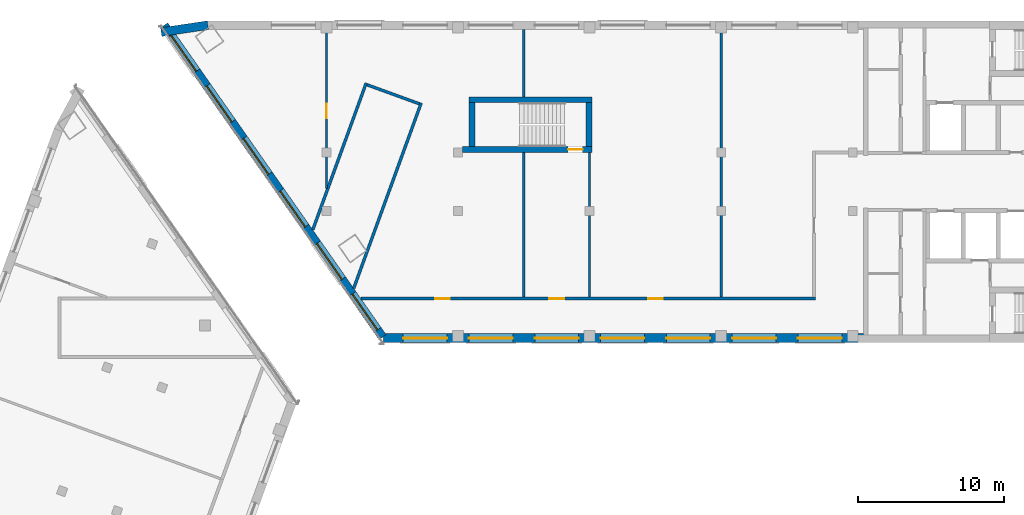
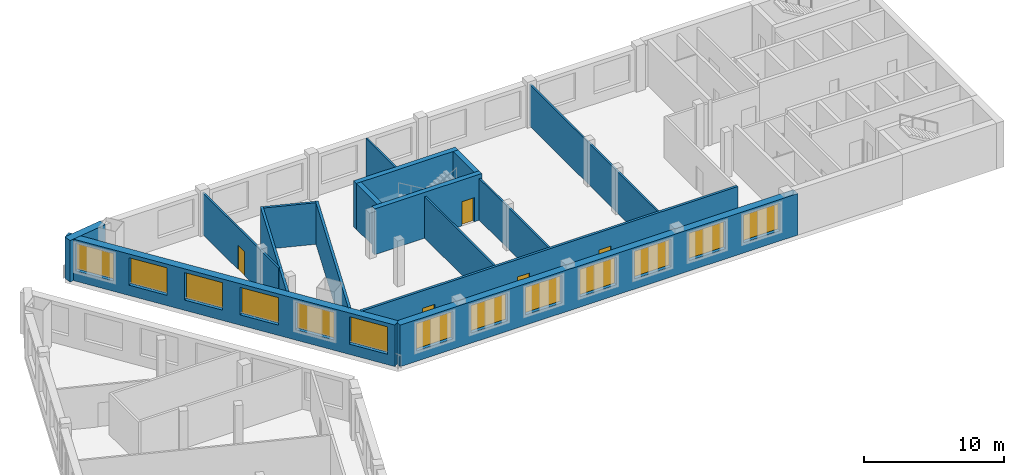
# One storey, part 4 of 8: 16 walls, 13 windows, 5 doors, 18 openings.
"""IFC4 building model written with IfcOpenShell, lengths in metres."""

from ifc_helpers import new_model, si_unit, direction, frame, frame_2d, origin, place, context, subcontext, project, spatial, rectangle, extrude, material, layer, layer_set, type_object, element, fill, save


model = new_model("IFC4")

# Units and contexts
model_context = context("Model", 3, precision=1e-05, world=origin(), true_north=direction((0.0, 1.0)))
body_context = subcontext(model_context, "Body", "Model", "MODEL_VIEW")
ifc_project = project(units=[si_unit("LENGTHUNIT", "METRE"), si_unit("AREAUNIT", "SQUARE_METRE"), si_unit("VOLUMEUNIT", "CUBIC_METRE"), si_unit("PLANEANGLEUNIT", "RADIAN"), si_unit("MASSUNIT", "GRAM", prefix="KILO")], contexts=[model_context])

# Site, building, storey
site_placement = place(None, origin())
site = spatial("IfcSite", under=ifc_project, at=site_placement, CompositionType="ELEMENT")
building_placement = place(site_placement, origin())
building = spatial("IfcBuilding", under=site, at=building_placement, Name="Skarvind Civic Tower", CompositionType="ELEMENT")
storey_placement = place(building_placement, frame((0.0, 0.0, 216.0)))
storey = spatial("IfcBuildingStorey", under=building, at=storey_placement, Name="L51", CompositionType="ELEMENT", Elevation=216.0)

# Wall, opening, door
ifc_material_1 = material(Name="Concrete C60", Category="concrete")
ifc_layer_1 = layer(ifc_material_1, 0.39990234375)
ifc_layer_set_1 = layer_set([ifc_layer_1], Name="Core wall 400 C60")
wall_type_1 = type_object("IfcWallType", Name="Core wall 400 C60", PredefinedType="SHEAR", material=ifc_layer_set_1)
wall_1_placement = place(storey_placement, frame((63.550048828125, 130.199951171875, 0.0), z_axis=(0.0, 0.0, 1.0), x_axis=(1.0, 0.0, 0.0)))
wall_1 = element("IfcWall", 1, at=wall_1_placement, inside=storey, type_object=wall_type_1, Name="Core wall CM inner L51", PredefinedType="SHEAR", context=body_context, shape_type="SweptSolid", body=[
    extrude(rectangle(XDim=8.849853515625, YDim=0.39990234375, at=frame_2d((4.4248046875, 0.0))), origin(), (0.0, 0.0, 1.0), 4.0),
])
opening_1_placement = place(wall_1_placement, frame((7.22509765625, 0.0, 0.0)))
opening_1 = element("IfcOpeningElement", 2, at=opening_1_placement, cuts=wall_1, Name="Opening D-L51-CM-01", PredefinedType="OPENING", context=body_context, shape_type="SweptSolid", body=[
    extrude(rectangle(XDim=1.0, YDim=2.10009765625, at=frame_2d((0.5, 1.050048828125))), frame((0.0, 0.2099609375, 0.0), z_axis=(0.0, -1.0, 0.0), x_axis=(1.0, 0.0, 0.0)), (0.0, 0.0, 1.0), 0.419921875),
])
ifc_material_2 = material(Name="Fire-rated steel door", Category="steel")
door_type_1 = type_object("IfcDoorType", Name="Fire door 1000", OperationType="NOTDEFINED", PredefinedType="DOOR", material=ifc_material_2)
door_1_placement = place(opening_1_placement, origin())
door_1 = element("IfcDoor", 3, at=door_1_placement, inside=storey, type_object=door_type_1, Name="Fire door", OperationType="SINGLE_SWING_LEFT", OverallHeight=2.10009765625, OverallWidth=1.0, PredefinedType="DOOR", context=body_context, shape_type="SweptSolid", body=[
    extrude(rectangle(XDim=1.0, YDim=2.10009765625, at=frame_2d((0.5, 1.050048828125))), frame((0.0, 0.02490234375, 0.0), z_axis=(0.0, -1.0, 0.0), x_axis=(1.0, 0.0, 0.0)), (0.0, 0.0, 1.0), 0.050048828125),
])
fill(opening_1, door_1)

# Walls
wall_2_placement = place(storey_placement, frame((64.0, 133.60009765625, 0.0), z_axis=(0.0, 0.0, 1.0), x_axis=(1.0, 0.0, 0.0)))
element("IfcWall", 4, at=wall_2_placement, inside=storey, type_object=wall_type_1, Name="Core wall CM outer L51", PredefinedType="SHEAR", context=body_context, shape_type="SweptSolid", body=[
    extrude(rectangle(XDim=8.39990234375, YDim=0.39990234375, at=frame_2d((4.199951171875, 0.0))), origin(), (0.0, 0.0, 1.0), 4.0),
])
for number, where, z_axis, x_axis, name in (
    (5, (64.199951171875, 130.39990234375, 0.0), (0.0, 0.0, 1.0), (0.0, 1.0, 0.0), "Core wall CM west L51"),
    (6, (72.199951171875, 130.39990234375, 0.0), (0.0, 0.0, 1.0), (0.0, 1.0, 0.0), "Core wall CM end L51"),
):
    element("IfcWall", number, at=place(storey_placement, frame(where, z_axis=z_axis, x_axis=x_axis)), inside=storey, type_object=wall_type_1, Name=name, PredefinedType="SHEAR", context=body_context, shape_type="SweptSolid", body=[
        extrude(rectangle(XDim=3.0, YDim=0.39990234375, at=frame_2d((1.5, 0.0))), origin(), (0.0, 0.0, 1.0), 4.0),
    ])
ifc_material_3 = material(Name="Fire-rated blockwork wall, plastered", Category="masonry")
ifc_layer_2 = layer(ifc_material_3, 0.199951171875)
ifc_layer_set_2 = layer_set([ifc_layer_2], Name="FIRE WALL 200 EI 60")
wall_type_2 = type_object("IfcWallType", Name="FIRE WALL 200 EI 60", PredefinedType="PARTITIONING", material=ifc_layer_set_2)
wall_3_placement = place(storey_placement, frame((53.31396484375, 124.702880859375, 0.0), z_axis=(0.0, 0.0, 1.0), x_axis=(0.341964791562, 0.939712765334, 0.0)))
element("IfcWall", 7, at=wall_3_placement, inside=storey, type_object=wall_type_2, Name="Portal partition L51 010", PredefinedType="PARTITIONING", context=body_context, shape_type="SweptSolid", body=[
    extrude(rectangle(XDim=10.69677734375, YDim=0.199951171875, at=frame_2d((5.348388671875, 0.0))), origin(), (0.0, 0.0, 1.0), 3.625),
])
wall_4_placement = place(storey_placement, frame((56.114013671875, 120.7041015625, 0.0), z_axis=(0.0, 0.0, 1.0), x_axis=(0.342069822002, 0.939674537739, 0.0)))
element("IfcWall", 8, at=wall_4_placement, inside=storey, type_object=wall_type_2, Name="Portal partition L51 012", PredefinedType="PARTITIONING", context=body_context, shape_type="SweptSolid", body=[
    extrude(rectangle(XDim=13.4970703125, YDim=0.199951171875, at=frame_2d((6.74853515625, 0.0))), origin(), (0.0, 0.0, 1.0), 3.625),
])

# Wall, openings, doors
wall_5_placement = place(storey_placement, frame((56.60693359375, 120.0, 0.0), z_axis=(0.0, 0.0, 1.0), x_axis=(1.0, 0.0, 0.0)))
wall_5 = element("IfcWall", 9, at=wall_5_placement, inside=storey, type_object=wall_type_2, Name="Portal partition L51 013", PredefinedType="PARTITIONING", context=body_context, shape_type="SweptSolid", body=[
    extrude(rectangle(XDim=31.093017578125, YDim=0.199951171875, at=frame_2d((15.54638671875, 0.0))), origin(), (0.0, 0.0, 1.0), 3.625),
])
opening_2_placement = place(wall_5_placement, frame((5.073974609375, 0.0, 0.0)))
opening_2 = element("IfcOpeningElement", 10, at=opening_2_placement, cuts=wall_5, Name="Opening L51-D205", PredefinedType="OPENING", context=body_context, shape_type="SweptSolid", body=[
    extrude(rectangle(XDim=1.0, YDim=2.10009765625, at=frame_2d((0.5, 1.050048828125))), frame((0.0, 0.10986328125, 0.0), z_axis=(0.0, -1.0, 0.0), x_axis=(1.0, 0.0, 0.0)), (0.0, 0.0, 1.0), 0.219970703125),
])
opening_3_placement = place(wall_5_placement, frame((12.89306640625, 0.0, 0.0)))
opening_3 = element("IfcOpeningElement", 11, at=opening_3_placement, cuts=wall_5, Name="Opening L51-D206", PredefinedType="OPENING", context=body_context, shape_type="SweptSolid", body=[
    extrude(rectangle(XDim=1.0, YDim=2.10009765625, at=frame_2d((0.5, 1.050048828125))), frame((0.0, 0.10986328125, 0.0), z_axis=(0.0, -1.0, 0.0), x_axis=(1.0, 0.0, 0.0)), (0.0, 0.0, 1.0), 0.219970703125),
])
opening_4_placement = place(wall_5_placement, frame((19.64306640625, 0.0, 0.0)))
opening_4 = element("IfcOpeningElement", 12, at=opening_4_placement, cuts=wall_5, Name="Opening L51-D207", PredefinedType="OPENING", context=body_context, shape_type="SweptSolid", body=[
    extrude(rectangle(XDim=1.0, YDim=2.10009765625, at=frame_2d((0.5, 1.050048828125))), frame((0.0, 0.10986328125, 0.0), z_axis=(0.0, -1.0, 0.0), x_axis=(1.0, 0.0, 0.0)), (0.0, 0.0, 1.0), 0.219970703125),
])
ifc_material_4 = material(Name="Painted steel fire door leaf", Category="steel")
door_type_2 = type_object("IfcDoorType", Name="FIRE DOOR 1000X2100 STEEL", OperationType="NOTDEFINED", PredefinedType="DOOR", material=ifc_material_4)
door_2_placement = place(opening_2_placement, origin())
door_2 = element("IfcDoor", 13, at=door_2_placement, inside=storey, type_object=door_type_2, Name="FIRE DOOR", OperationType="SINGLE_SWING_RIGHT", OverallHeight=2.10009765625, OverallWidth=1.0, PredefinedType="DOOR", context=body_context, shape_type="SweptSolid", body=[
    extrude(rectangle(XDim=1.0, YDim=2.10009765625, at=frame_2d((0.5, 1.050048828125))), frame((0.0, 0.02490234375, 0.0), z_axis=(0.0, -1.0, 0.0), x_axis=(1.0, 0.0, 0.0)), (0.0, 0.0, 1.0), 0.050048828125),
])
fill(opening_2, door_2)
door_3_placement = place(opening_3_placement, origin())
door_3 = element("IfcDoor", 14, at=door_3_placement, inside=storey, type_object=door_type_2, Name="FIRE DOOR", OperationType="SINGLE_SWING_LEFT", OverallHeight=2.10009765625, OverallWidth=1.0, PredefinedType="DOOR", context=body_context, shape_type="SweptSolid", body=[
    extrude(rectangle(XDim=1.0, YDim=2.10009765625, at=frame_2d((0.5, 1.050048828125))), frame((0.0, 0.02490234375, 0.0), z_axis=(0.0, -1.0, 0.0), x_axis=(1.0, 0.0, 0.0)), (0.0, 0.0, 1.0), 0.050048828125),
])
fill(opening_3, door_3)
door_4_placement = place(opening_4_placement, origin())
door_4 = element("IfcDoor", 15, at=door_4_placement, inside=storey, type_object=door_type_2, Name="FIRE DOOR", OperationType="SINGLE_SWING_RIGHT", OverallHeight=2.10009765625, OverallWidth=1.0, PredefinedType="DOOR", context=body_context, shape_type="SweptSolid", body=[
    extrude(rectangle(XDim=1.0, YDim=2.10009765625, at=frame_2d((0.5, 1.050048828125))), frame((0.0, 0.02490234375, 0.0), z_axis=(0.0, -1.0, 0.0), x_axis=(1.0, 0.0, 0.0)), (0.0, 0.0, 1.0), 0.050048828125),
])
fill(opening_4, door_4)

# Wall
wall_6_placement = place(storey_placement, frame((57.031982421875, 134.626953125, 0.0), z_axis=(0.0, 0.0, 1.0), x_axis=(0.939667689469, -0.342088633789, 0.0)))
element("IfcWall", 16, at=wall_6_placement, inside=storey, type_object=wall_type_2, Name="Portal partition L51 014", PredefinedType="PARTITIONING", context=body_context, shape_type="SweptSolid", body=[
    extrude(rectangle(XDim=3.80029296875, YDim=0.199951171875, at=frame_2d((1.900146484375, 0.0))), origin(), (0.0, 0.0, 1.0), 3.625),
])

# Wall, opening, door
ifc_material_5 = material(Name="Plasterboard partition on steel studs", Category="steel")
ifc_layer_3 = layer(ifc_material_5, 0.14990234375)
ifc_layer_set_3 = layer_set([ifc_layer_3], Name="PARTITION 150")
wall_type_3 = type_object("IfcWallType", Name="PARTITION 150", PredefinedType="PARTITIONING", material=ifc_layer_set_3)
wall_7_placement = place(storey_placement, frame((54.25, 138.39990234375, 0.0), z_axis=(0.0, 0.0, 1.0), x_axis=(0.0, -1.0, 0.0)))
wall_7 = element("IfcWall", 17, at=wall_7_placement, inside=storey, type_object=wall_type_3, Name="Portal partition L51 011", PredefinedType="PARTITIONING", context=body_context, shape_type="SweptSolid", body=[
    extrude(rectangle(XDim=10.85888671875, YDim=0.14990234375, at=frame_2d((5.429443359375, 0.0))), origin(), (0.0, 0.0, 1.0), 3.625),
])
opening_5_placement = place(wall_7_placement, frame((5.06298828125, 0.0, 0.0)))
opening_5 = element("IfcOpeningElement", 18, at=opening_5_placement, cuts=wall_7, Name="Opening L51-D204", PredefinedType="OPENING", context=body_context, shape_type="SweptSolid", body=[
    extrude(rectangle(XDim=1.0, YDim=2.10009765625, at=frame_2d((0.5, 1.050048828125))), frame((0.0, 0.0849609375, 0.0), z_axis=(0.0, -1.0, 0.0), x_axis=(1.0, 0.0, 0.0)), (0.0, 0.0, 1.0), 0.169921875),
])
ifc_material_6 = material(Name="Timber veneer door leaf", Category="wood")
door_type_3 = type_object("IfcDoorType", Name="DOOR 1000X2100 TIMBER", OperationType="NOTDEFINED", PredefinedType="DOOR", material=ifc_material_6)
door_5_placement = place(opening_5_placement, origin())
door_5 = element("IfcDoor", 19, at=door_5_placement, inside=storey, type_object=door_type_3, Name="DOOR DOOR", OperationType="SINGLE_SWING_LEFT", OverallHeight=2.10009765625, OverallWidth=1.0, PredefinedType="DOOR", context=body_context, shape_type="SweptSolid", body=[
    extrude(rectangle(XDim=1.0, YDim=2.10009765625, at=frame_2d((0.5, 1.050048828125))), frame((0.0, 0.02490234375, 0.0), z_axis=(0.0, -1.0, 0.0), x_axis=(1.0, 0.0, 0.0)), (0.0, 0.0, 1.0), 0.050048828125),
])
fill(opening_5, door_5)

# Walls
wall_8_placement = place(storey_placement, frame((67.75, 120.10009765625, 0.0), z_axis=(0.0, 0.0, 1.0), x_axis=(0.0, 1.0, 0.0)))
element("IfcWall", 20, at=wall_8_placement, inside=storey, type_object=wall_type_3, Name="Portal partition L51 015", PredefinedType="PARTITIONING", context=body_context, shape_type="SweptSolid", body=[
    extrude(rectangle(XDim=9.89990234375, YDim=0.14990234375, at=frame_2d((4.949951171875, 0.0))), origin(), (0.0, 0.0, 1.0), 3.625),
])
wall_9_placement = place(storey_placement, frame((67.75, 133.800048828125, 0.0), z_axis=(0.0, 0.0, 1.0), x_axis=(0.0, 1.0, 0.0)))
element("IfcWall", 21, at=wall_9_placement, inside=storey, type_object=wall_type_3, Name="Portal partition L51 016", PredefinedType="PARTITIONING", context=body_context, shape_type="SweptSolid", body=[
    extrude(rectangle(XDim=4.599853515625, YDim=0.14990234375, at=frame_2d((2.2998046875, 0.0))), origin(), (0.0, 0.0, 1.0), 3.625),
])
wall_10_placement = place(storey_placement, frame((72.25, 120.10009765625, 0.0), z_axis=(0.0, 0.0, 1.0), x_axis=(0.0, 1.0, 0.0)))
element("IfcWall", 22, at=wall_10_placement, inside=storey, type_object=wall_type_3, Name="Portal partition L51 017", PredefinedType="PARTITIONING", context=body_context, shape_type="SweptSolid", body=[
    extrude(rectangle(XDim=9.89990234375, YDim=0.14990234375, at=frame_2d((4.949951171875, 0.0))), origin(), (0.0, 0.0, 1.0), 3.625),
])
wall_11_placement = place(storey_placement, frame((81.25, 120.10009765625, 0.0), z_axis=(0.0, 0.0, 1.0), x_axis=(0.0, 1.0, 0.0)))
element("IfcWall", 23, at=wall_11_placement, inside=storey, type_object=wall_type_3, Name="Portal partition L51 018", PredefinedType="PARTITIONING", context=body_context, shape_type="SweptSolid", body=[
    extrude(rectangle(XDim=18.2998046875, YDim=0.14990234375, at=frame_2d((9.14990234375, 0.0))), origin(), (0.0, 0.0, 1.0), 3.625),
])
ifc_material_7 = material(Name="Limestone masonry cladding on insulated backing", Category="masonry")
ifc_layer_4 = layer(ifc_material_7, 0.60009765625)
ifc_layer_set_4 = layer_set([ifc_layer_4], Name="WX1 STONE FACADE WALL 600")
wall_type_4 = type_object("IfcWallType", Name="WX1 STONE FACADE WALL 600", PredefinedType="SOLIDWALL", material=ifc_layer_set_4)
wall_12_placement = place(storey_placement, frame((42.947021484375, 138.228515625, 0.0), z_axis=(0.0, 0.0, 1.0), x_axis=(0.989119234726, 0.147116074906, 0.0)))
element("IfcWall", 24, at=wall_12_placement, inside=storey, type_object=wall_type_4, Name="STONE FACADE WALL", PredefinedType="SOLIDWALL", context=body_context, shape_type="SweptSolid", body=[
    extrude(rectangle(XDim=3.227783203125, YDim=0.60009765625, at=frame_2d((1.61376953125, 0.0))), origin(), (0.0, 0.0, 1.0), 3.625),
])

# Wall, openings, windows
wall_13_placement = place(storey_placement, frame((58.0830078125, 117.36865234375, 0.0), z_axis=(0.0, 0.0, 1.0), x_axis=(-0.573573095716, 0.819154383416, 0.0)))
wall_13 = element("IfcWall", 25, at=wall_13_placement, inside=storey, type_object=wall_type_4, Name="STONE FACADE WALL", PredefinedType="SOLIDWALL", context=body_context, shape_type="SweptSolid", body=[
    extrude(rectangle(XDim=26.037353515625, YDim=0.60009765625, at=frame_2d((13.0185546875, 0.0))), origin(), (0.0, 0.0, 1.0), 3.625),
])
opening_6_placement = place(wall_13_placement, frame((0.599853515625, 0.0, 0.89990234375)))
opening_6 = element("IfcOpeningElement", 26, at=opening_6_placement, cuts=wall_13, Name="Opening WN1", PredefinedType="OPENING", context=body_context, shape_type="SweptSolid", body=[
    extrude(rectangle(XDim=3.0, YDim=2.39990234375, at=frame_2d((1.5, 1.199951171875))), frame((0.0, 0.31005859375, 0.0), z_axis=(0.0, -1.0, 0.0), x_axis=(1.0, 0.0, 0.0)), (0.0, 0.0, 1.0), 0.6201171875),
])
opening_7_placement = place(wall_13_placement, frame((4.829345703125, 0.0, 0.89990234375)))
opening_7 = element("IfcOpeningElement", 27, at=opening_7_placement, cuts=wall_13, Name="Opening WN1", PredefinedType="OPENING", context=body_context, shape_type="SweptSolid", body=[
    extrude(rectangle(XDim=3.0, YDim=2.39990234375, at=frame_2d((1.5, 1.199951171875))), frame((0.0, 0.31005859375, 0.0), z_axis=(0.0, -1.0, 0.0), x_axis=(1.0, 0.0, 0.0)), (0.0, 0.0, 1.0), 0.6201171875),
])
opening_8_placement = place(wall_13_placement, frame((9.208984375, 0.0, 0.89990234375)))
opening_8 = element("IfcOpeningElement", 28, at=opening_8_placement, cuts=wall_13, Name="Opening WN1", PredefinedType="OPENING", context=body_context, shape_type="SweptSolid", body=[
    extrude(rectangle(XDim=3.0, YDim=2.39990234375, at=frame_2d((1.5, 1.199951171875))), frame((0.0, 0.31005859375, 0.0), z_axis=(0.0, -1.0, 0.0), x_axis=(1.0, 0.0, 0.0)), (0.0, 0.0, 1.0), 0.6201171875),
])
opening_9_placement = place(wall_13_placement, frame((13.58837890625, 0.0, 0.89990234375)))
opening_9 = element("IfcOpeningElement", 29, at=opening_9_placement, cuts=wall_13, Name="Opening WN1", PredefinedType="OPENING", context=body_context, shape_type="SweptSolid", body=[
    extrude(rectangle(XDim=3.0, YDim=2.39990234375, at=frame_2d((1.5, 1.199951171875))), frame((0.0, 0.31005859375, 0.0), z_axis=(0.0, -1.0, 0.0), x_axis=(1.0, 0.0, 0.0)), (0.0, 0.0, 1.0), 0.6201171875),
])
opening_10_placement = place(wall_13_placement, frame((17.968017578125, 0.0, 0.89990234375)))
opening_10 = element("IfcOpeningElement", 30, at=opening_10_placement, cuts=wall_13, Name="Opening WN1", PredefinedType="OPENING", context=body_context, shape_type="SweptSolid", body=[
    extrude(rectangle(XDim=3.0, YDim=2.39990234375, at=frame_2d((1.5, 1.199951171875))), frame((0.0, 0.31005859375, 0.0), z_axis=(0.0, -1.0, 0.0), x_axis=(1.0, 0.0, 0.0)), (0.0, 0.0, 1.0), 0.6201171875),
])
opening_11_placement = place(wall_13_placement, frame((22.197509765625, 0.0, 0.89990234375)))
opening_11 = element("IfcOpeningElement", 31, at=opening_11_placement, cuts=wall_13, Name="Opening WN1", PredefinedType="OPENING", context=body_context, shape_type="SweptSolid", body=[
    extrude(rectangle(XDim=3.0, YDim=2.39990234375, at=frame_2d((1.5, 1.199951171875))), frame((0.0, 0.31005859375, 0.0), z_axis=(0.0, -1.0, 0.0), x_axis=(1.0, 0.0, 0.0)), (0.0, 0.0, 1.0), 0.6201171875),
])
ifc_material_8 = material(Name="Timber frame, double glazing, timber-lined reveal", Category="wood")
window_type = type_object("IfcWindowType", Name="WN1 PUNCHED STONE WINDOW 3000 x 2400", PartitioningType="SINGLE_PANEL", PredefinedType="WINDOW", material=ifc_material_8)
window_1_placement = place(opening_6_placement, origin())
window_1 = element("IfcWindow", 32, at=window_1_placement, inside=storey, type_object=window_type, Name="WN1 WINDOW", OverallHeight=2.39990234375, OverallWidth=3.0, PartitioningType="SINGLE_PANEL", PredefinedType="WINDOW", context=body_context, shape_type="SweptSolid", body=[
    extrude(rectangle(XDim=3.0, YDim=2.39990234375, at=frame_2d((1.5, 1.199951171875))), frame((0.0, 0.030029296875, 0.0), z_axis=(0.0, -1.0, 0.0), x_axis=(1.0, 0.0, 0.0)), (0.0, 0.0, 1.0), 0.06005859375),
])
fill(opening_6, window_1)
window_2_placement = place(opening_7_placement, origin())
window_2 = element("IfcWindow", 33, at=window_2_placement, inside=storey, type_object=window_type, Name="WN1 WINDOW", OverallHeight=2.39990234375, OverallWidth=3.0, PartitioningType="SINGLE_PANEL", PredefinedType="WINDOW", context=body_context, shape_type="SweptSolid", body=[
    extrude(rectangle(XDim=3.0, YDim=2.39990234375, at=frame_2d((1.5, 1.199951171875))), frame((0.0, 0.030029296875, 0.0), z_axis=(0.0, -1.0, 0.0), x_axis=(1.0, 0.0, 0.0)), (0.0, 0.0, 1.0), 0.06005859375),
])
fill(opening_7, window_2)
window_3_placement = place(opening_8_placement, origin())
window_3 = element("IfcWindow", 34, at=window_3_placement, inside=storey, type_object=window_type, Name="WN1 WINDOW", OverallHeight=2.39990234375, OverallWidth=3.0, PartitioningType="SINGLE_PANEL", PredefinedType="WINDOW", context=body_context, shape_type="SweptSolid", body=[
    extrude(rectangle(XDim=3.0, YDim=2.39990234375, at=frame_2d((1.5, 1.199951171875))), frame((0.0, 0.030029296875, 0.0), z_axis=(0.0, -1.0, 0.0), x_axis=(1.0, 0.0, 0.0)), (0.0, 0.0, 1.0), 0.06005859375),
])
fill(opening_8, window_3)
window_4_placement = place(opening_9_placement, origin())
window_4 = element("IfcWindow", 35, at=window_4_placement, inside=storey, type_object=window_type, Name="WN1 WINDOW", OverallHeight=2.39990234375, OverallWidth=3.0, PartitioningType="SINGLE_PANEL", PredefinedType="WINDOW", context=body_context, shape_type="SweptSolid", body=[
    extrude(rectangle(XDim=3.0, YDim=2.39990234375, at=frame_2d((1.5, 1.199951171875))), frame((0.0, 0.030029296875, 0.0), z_axis=(0.0, -1.0, 0.0), x_axis=(1.0, 0.0, 0.0)), (0.0, 0.0, 1.0), 0.06005859375),
])
fill(opening_9, window_4)
window_5_placement = place(opening_10_placement, origin())
window_5 = element("IfcWindow", 36, at=window_5_placement, inside=storey, type_object=window_type, Name="WN1 WINDOW", OverallHeight=2.39990234375, OverallWidth=3.0, PartitioningType="SINGLE_PANEL", PredefinedType="WINDOW", context=body_context, shape_type="SweptSolid", body=[
    extrude(rectangle(XDim=3.0, YDim=2.39990234375, at=frame_2d((1.5, 1.199951171875))), frame((0.0, 0.030029296875, 0.0), z_axis=(0.0, -1.0, 0.0), x_axis=(1.0, 0.0, 0.0)), (0.0, 0.0, 1.0), 0.06005859375),
])
fill(opening_10, window_5)
window_6_placement = place(opening_11_placement, origin())
window_6 = element("IfcWindow", 37, at=window_6_placement, inside=storey, type_object=window_type, Name="WN1 WINDOW", OverallHeight=2.39990234375, OverallWidth=3.0, PartitioningType="SINGLE_PANEL", PredefinedType="WINDOW", context=body_context, shape_type="SweptSolid", body=[
    extrude(rectangle(XDim=3.0, YDim=2.39990234375, at=frame_2d((1.5, 1.199951171875))), frame((0.0, 0.030029296875, 0.0), z_axis=(0.0, -1.0, 0.0), x_axis=(1.0, 0.0, 0.0)), (0.0, 0.0, 1.0), 0.06005859375),
])
fill(opening_11, window_6)

wall_14_placement = place(storey_placement, frame((90.97998046875, 117.300048828125, 0.0), z_axis=(0.0, 0.0, 1.0), x_axis=(-1.0, 0.0, 0.0)))
wall_14 = element("IfcWall", 38, at=wall_14_placement, inside=storey, type_object=wall_type_4, Name="STONE FACADE WALL", PredefinedType="SOLIDWALL", context=body_context, shape_type="SweptSolid", body=[
    extrude(rectangle(XDim=32.844970703125, YDim=0.60009765625, at=frame_2d((16.42236328125, 0.0))), origin(), (0.0, 0.0, 1.0), 3.625),
])
opening_12_placement = place(wall_14_placement, frame((1.47998046875, 0.0, 0.89990234375)))
opening_12 = element("IfcOpeningElement", 39, at=opening_12_placement, cuts=wall_14, Name="Opening WN1", PredefinedType="OPENING", context=body_context, shape_type="SweptSolid", body=[
    extrude(rectangle(XDim=3.0, YDim=2.39990234375, at=frame_2d((1.5, 1.199951171875))), frame((0.0, 0.31005859375, 0.0), z_axis=(0.0, -1.0, 0.0), x_axis=(1.0, 0.0, 0.0)), (0.0, 0.0, 1.0), 0.6201171875),
])
opening_13_placement = place(wall_14_placement, frame((5.97998046875, 0.0, 0.89990234375)))
opening_13 = element("IfcOpeningElement", 40, at=opening_13_placement, cuts=wall_14, Name="Opening WN1", PredefinedType="OPENING", context=body_context, shape_type="SweptSolid", body=[
    extrude(rectangle(XDim=3.0, YDim=2.39990234375, at=frame_2d((1.5, 1.199951171875))), frame((0.0, 0.31005859375, 0.0), z_axis=(0.0, -1.0, 0.0), x_axis=(1.0, 0.0, 0.0)), (0.0, 0.0, 1.0), 0.6201171875),
])
opening_14_placement = place(wall_14_placement, frame((10.47998046875, 0.0, 0.89990234375)))
opening_14 = element("IfcOpeningElement", 41, at=opening_14_placement, cuts=wall_14, Name="Opening WN1", PredefinedType="OPENING", context=body_context, shape_type="SweptSolid", body=[
    extrude(rectangle(XDim=3.0, YDim=2.39990234375, at=frame_2d((1.5, 1.199951171875))), frame((0.0, 0.31005859375, 0.0), z_axis=(0.0, -1.0, 0.0), x_axis=(1.0, 0.0, 0.0)), (0.0, 0.0, 1.0), 0.6201171875),
])
opening_15_placement = place(wall_14_placement, frame((14.97998046875, 0.0, 0.89990234375)))
opening_15 = element("IfcOpeningElement", 42, at=opening_15_placement, cuts=wall_14, Name="Opening WN1", PredefinedType="OPENING", context=body_context, shape_type="SweptSolid", body=[
    extrude(rectangle(XDim=3.0, YDim=2.39990234375, at=frame_2d((1.5, 1.199951171875))), frame((0.0, 0.31005859375, 0.0), z_axis=(0.0, -1.0, 0.0), x_axis=(1.0, 0.0, 0.0)), (0.0, 0.0, 1.0), 0.6201171875),
])
opening_16_placement = place(wall_14_placement, frame((19.47998046875, 0.0, 0.89990234375)))
opening_16 = element("IfcOpeningElement", 43, at=opening_16_placement, cuts=wall_14, Name="Opening WN1", PredefinedType="OPENING", context=body_context, shape_type="SweptSolid", body=[
    extrude(rectangle(XDim=3.0, YDim=2.39990234375, at=frame_2d((1.5, 1.199951171875))), frame((0.0, 0.31005859375, 0.0), z_axis=(0.0, -1.0, 0.0), x_axis=(1.0, 0.0, 0.0)), (0.0, 0.0, 1.0), 0.6201171875),
])
opening_17_placement = place(wall_14_placement, frame((23.97998046875, 0.0, 0.89990234375)))
opening_17 = element("IfcOpeningElement", 44, at=opening_17_placement, cuts=wall_14, Name="Opening WN1", PredefinedType="OPENING", context=body_context, shape_type="SweptSolid", body=[
    extrude(rectangle(XDim=3.0, YDim=2.39990234375, at=frame_2d((1.5, 1.199951171875))), frame((0.0, 0.31005859375, 0.0), z_axis=(0.0, -1.0, 0.0), x_axis=(1.0, 0.0, 0.0)), (0.0, 0.0, 1.0), 0.6201171875),
])
opening_18_placement = place(wall_14_placement, frame((28.47998046875, 0.0, 0.89990234375)))
opening_18 = element("IfcOpeningElement", 45, at=opening_18_placement, cuts=wall_14, Name="Opening WN1", PredefinedType="OPENING", context=body_context, shape_type="SweptSolid", body=[
    extrude(rectangle(XDim=3.0, YDim=2.39990234375, at=frame_2d((1.5, 1.199951171875))), frame((0.0, 0.31005859375, 0.0), z_axis=(0.0, -1.0, 0.0), x_axis=(1.0, 0.0, 0.0)), (0.0, 0.0, 1.0), 0.6201171875),
])
window_7_placement = place(opening_12_placement, origin())
window_7 = element("IfcWindow", 46, at=window_7_placement, inside=storey, type_object=window_type, Name="WN1 WINDOW", OverallHeight=2.39990234375, OverallWidth=3.0, PartitioningType="SINGLE_PANEL", PredefinedType="WINDOW", context=body_context, shape_type="SweptSolid", body=[
    extrude(rectangle(XDim=3.0, YDim=2.39990234375, at=frame_2d((1.5, 1.199951171875))), frame((0.0, 0.030029296875, 0.0), z_axis=(0.0, -1.0, 0.0), x_axis=(1.0, 0.0, 0.0)), (0.0, 0.0, 1.0), 0.06005859375),
])
fill(opening_12, window_7)
window_8_placement = place(opening_13_placement, origin())
window_8 = element("IfcWindow", 47, at=window_8_placement, inside=storey, type_object=window_type, Name="WN1 WINDOW", OverallHeight=2.39990234375, OverallWidth=3.0, PartitioningType="SINGLE_PANEL", PredefinedType="WINDOW", context=body_context, shape_type="SweptSolid", body=[
    extrude(rectangle(XDim=3.0, YDim=2.39990234375, at=frame_2d((1.5, 1.199951171875))), frame((0.0, 0.030029296875, 0.0), z_axis=(0.0, -1.0, 0.0), x_axis=(1.0, 0.0, 0.0)), (0.0, 0.0, 1.0), 0.06005859375),
])
fill(opening_13, window_8)
window_9_placement = place(opening_14_placement, origin())
window_9 = element("IfcWindow", 48, at=window_9_placement, inside=storey, type_object=window_type, Name="WN1 WINDOW", OverallHeight=2.39990234375, OverallWidth=3.0, PartitioningType="SINGLE_PANEL", PredefinedType="WINDOW", context=body_context, shape_type="SweptSolid", body=[
    extrude(rectangle(XDim=3.0, YDim=2.39990234375, at=frame_2d((1.5, 1.199951171875))), frame((0.0, 0.030029296875, 0.0), z_axis=(0.0, -1.0, 0.0), x_axis=(1.0, 0.0, 0.0)), (0.0, 0.0, 1.0), 0.06005859375),
])
fill(opening_14, window_9)
window_10_placement = place(opening_15_placement, origin())
window_10 = element("IfcWindow", 49, at=window_10_placement, inside=storey, type_object=window_type, Name="WN1 WINDOW", OverallHeight=2.39990234375, OverallWidth=3.0, PartitioningType="SINGLE_PANEL", PredefinedType="WINDOW", context=body_context, shape_type="SweptSolid", body=[
    extrude(rectangle(XDim=3.0, YDim=2.39990234375, at=frame_2d((1.5, 1.199951171875))), frame((0.0, 0.030029296875, 0.0), z_axis=(0.0, -1.0, 0.0), x_axis=(1.0, 0.0, 0.0)), (0.0, 0.0, 1.0), 0.06005859375),
])
fill(opening_15, window_10)
window_11_placement = place(opening_16_placement, origin())
window_11 = element("IfcWindow", 50, at=window_11_placement, inside=storey, type_object=window_type, Name="WN1 WINDOW", OverallHeight=2.39990234375, OverallWidth=3.0, PartitioningType="SINGLE_PANEL", PredefinedType="WINDOW", context=body_context, shape_type="SweptSolid", body=[
    extrude(rectangle(XDim=3.0, YDim=2.39990234375, at=frame_2d((1.5, 1.199951171875))), frame((0.0, 0.030029296875, 0.0), z_axis=(0.0, -1.0, 0.0), x_axis=(1.0, 0.0, 0.0)), (0.0, 0.0, 1.0), 0.06005859375),
])
fill(opening_16, window_11)
window_12_placement = place(opening_17_placement, origin())
window_12 = element("IfcWindow", 51, at=window_12_placement, inside=storey, type_object=window_type, Name="WN1 WINDOW", OverallHeight=2.39990234375, OverallWidth=3.0, PartitioningType="SINGLE_PANEL", PredefinedType="WINDOW", context=body_context, shape_type="SweptSolid", body=[
    extrude(rectangle(XDim=3.0, YDim=2.39990234375, at=frame_2d((1.5, 1.199951171875))), frame((0.0, 0.030029296875, 0.0), z_axis=(0.0, -1.0, 0.0), x_axis=(1.0, 0.0, 0.0)), (0.0, 0.0, 1.0), 0.06005859375),
])
fill(opening_17, window_12)
window_13_placement = place(opening_18_placement, origin())
window_13 = element("IfcWindow", 52, at=window_13_placement, inside=storey, type_object=window_type, Name="WN1 WINDOW", OverallHeight=2.39990234375, OverallWidth=3.0, PartitioningType="SINGLE_PANEL", PredefinedType="WINDOW", context=body_context, shape_type="SweptSolid", body=[
    extrude(rectangle(XDim=3.0, YDim=2.39990234375, at=frame_2d((1.5, 1.199951171875))), frame((0.0, 0.030029296875, 0.0), z_axis=(0.0, -1.0, 0.0), x_axis=(1.0, 0.0, 0.0)), (0.0, 0.0, 1.0), 0.06005859375),
])
fill(opening_18, window_13)

save(model, "model.ifc")
